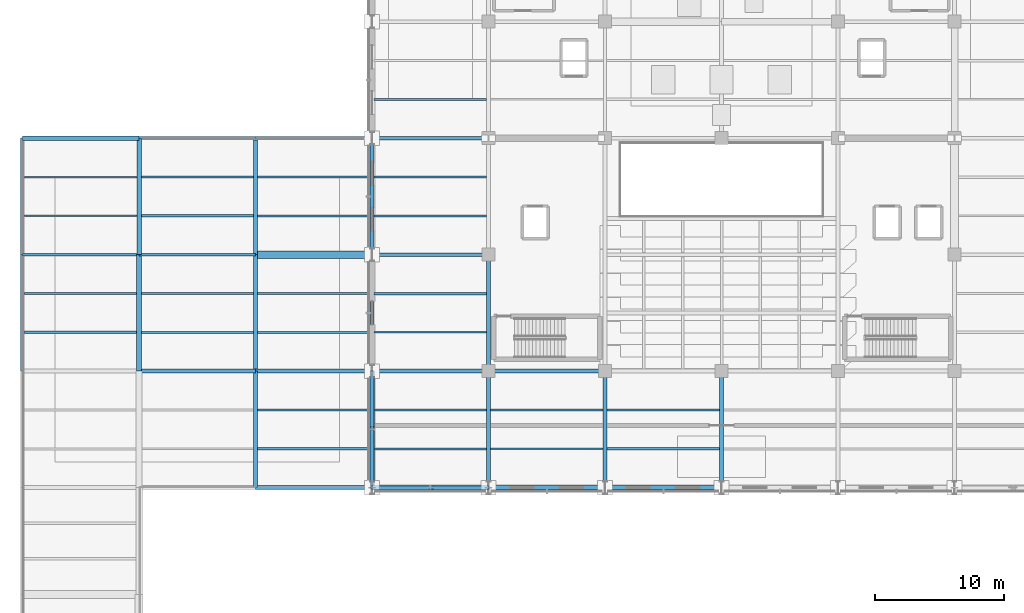
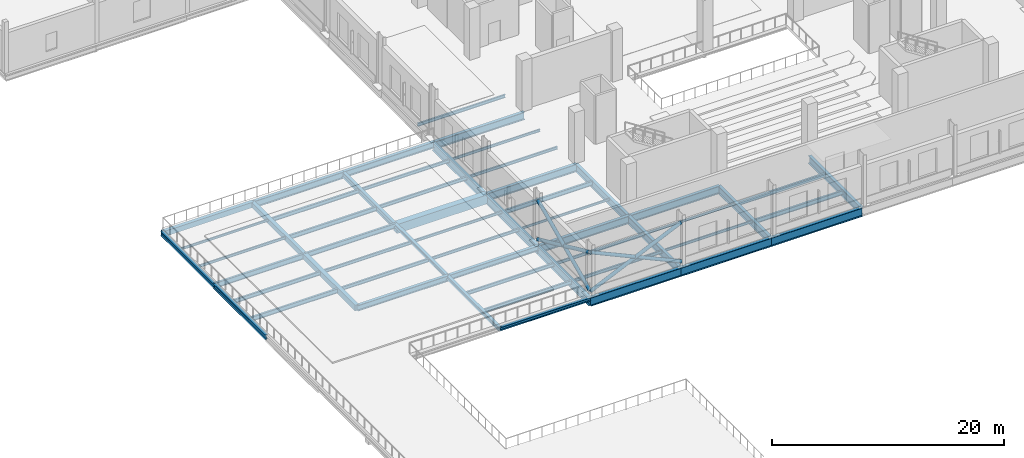
# One storey, part 12 of 141: 55 beams, 6 members.
"""IFC4 building model written with IfcOpenShell, lengths in metres."""

from ifc_helpers import new_model, si_unit, direction, frame, origin, origin_2d, place, context, subcontext, project, spatial, rectangle, hollow_circle, i_section, extrude, material, material_profile, profile_set, type_object, element, save


model = new_model("IFC4")

# Units and contexts
model_context = context("Model", 3, precision=1e-05, world=origin(), true_north=direction((0.0, 1.0)))
body_context = subcontext(model_context, "Body", "Model", "MODEL_VIEW")
ifc_project = project(units=[si_unit("LENGTHUNIT", "METRE"), si_unit("AREAUNIT", "SQUARE_METRE"), si_unit("VOLUMEUNIT", "CUBIC_METRE"), si_unit("PLANEANGLEUNIT", "RADIAN"), si_unit("MASSUNIT", "GRAM", prefix="KILO")], contexts=[model_context])

# Site, building, storey
site_placement = place(None, origin())
site = spatial("IfcSite", under=ifc_project, at=site_placement, CompositionType="ELEMENT")
building_placement = place(site_placement, origin())
building = spatial("IfcBuilding", under=site, at=building_placement, Name="Sundgate Opera House", CompositionType="ELEMENT")
storey_placement = place(building_placement, frame((0.0, 0.0, 11.39990234375)))
storey = spatial("IfcBuildingStorey", under=building, at=storey_placement, Name="L02", CompositionType="ELEMENT", Elevation=11.39990234375)

# Beams
ifc_material_1 = material(Name="Steel S355J2", Category="steel")
ifc_material_profile_1 = material_profile(ifc_material_1, i_section(OverallWidth=0.300048828125, OverallDepth=0.43994140625, WebThickness=0.011474609375, FlangeThickness=0.02099609375, at=origin_2d()), Name="HEA 450")
ifc_profile_set_1 = profile_set([ifc_material_profile_1], Name="Steel S355J2")
beam_type_1 = type_object("IfcBeamType", Name="BM-GR-HEA450", PredefinedType="BEAM", material=ifc_profile_set_1)
beam_1_placement = place(storey_placement, frame((0.0, 51.0, -0.5498046875), z_axis=(0.0, 1.0, 0.0), x_axis=(-1.0, 0.0, 0.0)))
element("IfcBeam", 1, at=beam_1_placement, inside=storey, type_object=beam_type_1, Name="L02 Primary N-S Girder B1786", PredefinedType="BEAM", context=body_context, shape_type="SweptSolid", body=[
    extrude(i_section(OverallWidth=0.300048828125, OverallDepth=0.43994140625, WebThickness=0.011474609375, FlangeThickness=0.02099609375, at=origin_2d()), origin(), (0.0, 0.0, 1.0), 9.0),
])
ifc_material_2 = material(Name="Steel S355J2", Category="steel")
ifc_material_profile_2 = material_profile(ifc_material_2, i_section(OverallWidth=0.300048828125, OverallDepth=0.489990234375, WebThickness=0.011962890625, FlangeThickness=0.02294921875, at=origin_2d()), Name="HEA 500")
ifc_profile_set_2 = profile_set([ifc_material_profile_2], Name="Steel S355J2")
beam_type_2 = type_object("IfcBeamType", Name="BM-GR-HEA500", PredefinedType="BEAM", material=ifc_profile_set_2)
beam_2_placement = place(storey_placement, frame((0.0, 42.0, -0.574951171875), z_axis=(0.0, 1.0, 0.0), x_axis=(-1.0, 0.0, 0.0)))
element("IfcBeam", 2, at=beam_2_placement, inside=storey, type_object=beam_type_2, Name="L02 Primary N-S Girder B1785", PredefinedType="BEAM", context=body_context, shape_type="SweptSolid", body=[
    extrude(i_section(OverallWidth=0.300048828125, OverallDepth=0.489990234375, WebThickness=0.011962890625, FlangeThickness=0.02294921875, at=origin_2d()), origin(), (0.0, 0.0, 1.0), 9.0),
])
ifc_material_3 = material(Name="Steel S355J2", Category="steel")
ifc_material_profile_3 = material_profile(ifc_material_3, i_section(OverallWidth=0.300048828125, OverallDepth=0.590087890625, WebThickness=0.012939453125, FlangeThickness=0.02490234375, at=origin_2d()), Name="HEA 600")
ifc_profile_set_3 = profile_set([ifc_material_profile_3], Name="Steel S355J2")
beam_type_3 = type_object("IfcBeamType", Name="BM-GR-HEA600", PredefinedType="BEAM", material=ifc_profile_set_3)
beam_3_placement = place(storey_placement, frame((18.0, 51.0, -0.625), z_axis=(0.0, 1.0, 0.0), x_axis=(-1.0, 0.0, 0.0)))
element("IfcBeam", 3, at=beam_3_placement, inside=storey, type_object=beam_type_3, Name="L02 Primary N-S Girder B1806", PredefinedType="BEAM", context=body_context, shape_type="SweptSolid", body=[
    extrude(i_section(OverallWidth=0.300048828125, OverallDepth=0.590087890625, WebThickness=0.012939453125, FlangeThickness=0.02490234375, at=origin_2d()), origin(), (0.0, 0.0, 1.0), 9.0),
])
ifc_material_4 = material(Name="Steel S355J2", Category="steel")
ifc_material_profile_4 = material_profile(ifc_material_4, i_section(OverallWidth=0.300048828125, OverallDepth=0.360107421875, WebThickness=0.012451171875, FlangeThickness=0.0224609375, at=origin_2d()), Name="HEB 360")
ifc_profile_set_4 = profile_set([ifc_material_profile_4], Name="Steel S355J2")
beam_type_4 = type_object("IfcBeamType", Name="BM-GR-HEB360", PredefinedType="BEAM", material=ifc_profile_set_4)
for number, where, z_axis, x_axis, name in (
    (4, (18.0, 42.0, -0.510009765625), (0.0, 1.0, 0.0), (-1.0, 0.0, 0.0), "L02 Primary N-S Girder B1805"),
    (5, (18.0, 33.0, -0.510009765625), (1.0, 0.0, 0.0), (0.0, 1.0, 0.0), "L02 Primary E-W Girder B1996"),
):
    element("IfcBeam", number, at=place(storey_placement, frame(where, z_axis=z_axis, x_axis=x_axis)), inside=storey, type_object=beam_type_4, Name=name, PredefinedType="BEAM", context=body_context, shape_type="SweptSolid", body=[
        extrude(i_section(OverallWidth=0.300048828125, OverallDepth=0.360107421875, WebThickness=0.012451171875, FlangeThickness=0.0224609375, at=origin_2d()), origin(), (0.0, 0.0, 1.0), 9.0),
    ])
ifc_material_5 = material(Name="Steel S355J2", Category="steel")
ifc_material_profile_5 = material_profile(ifc_material_5, i_section(OverallWidth=0.300048828125, OverallDepth=0.39990234375, WebThickness=0.013427734375, FlangeThickness=0.02392578125, at=origin_2d()), Name="HEB 400")
ifc_profile_set_5 = profile_set([ifc_material_profile_5], Name="Steel S355J2")
beam_type_5 = type_object("IfcBeamType", Name="BM-GR-HEB400", PredefinedType="BEAM", material=ifc_profile_set_5)
beam_4_placement = place(storey_placement, frame((18.0, 33.0, -0.52978515625), z_axis=(0.0, 1.0, 0.0), x_axis=(-1.0, 0.0, 0.0)))
element("IfcBeam", 6, at=beam_4_placement, inside=storey, type_object=beam_type_5, Name="L02 Primary N-S Girder B1804", PredefinedType="BEAM", context=body_context, shape_type="SweptSolid", body=[
    extrude(i_section(OverallWidth=0.300048828125, OverallDepth=0.39990234375, WebThickness=0.013427734375, FlangeThickness=0.02392578125, at=origin_2d()), origin(), (0.0, 0.0, 1.0), 9.0),
])
ifc_material_6 = material(Name="Steel S355J2", Category="steel")
ifc_material_profile_6 = material_profile(ifc_material_6, i_section(OverallWidth=0.300048828125, OverallDepth=0.550048828125, WebThickness=0.014892578125, FlangeThickness=0.029052734375, at=origin_2d()), Name="HEB 550")
ifc_profile_set_6 = profile_set([ifc_material_profile_6], Name="Steel S355J2")
beam_type_6 = type_object("IfcBeamType", Name="BM-GR-HEB550", PredefinedType="BEAM", material=ifc_profile_set_6)
beam_5_placement = place(storey_placement, frame((18.0, 42.0, -0.60498046875), z_axis=(1.0, 0.0, 0.0), x_axis=(0.0, 1.0, 0.0)))
element("IfcBeam", 7, at=beam_5_placement, inside=storey, type_object=beam_type_6, Name="L02 Primary E-W Girder B2008", PredefinedType="BEAM", context=body_context, shape_type="SweptSolid", body=[
    extrude(i_section(OverallWidth=0.300048828125, OverallDepth=0.550048828125, WebThickness=0.014892578125, FlangeThickness=0.029052734375, at=origin_2d()), origin(), (0.0, 0.0, 1.0), 9.0),
])
ifc_material_7 = material(Name="Steel S355J2", Category="steel")
ifc_material_profile_7 = material_profile(ifc_material_7, i_section(OverallWidth=0.300048828125, OverallDepth=0.60009765625, WebThickness=0.015380859375, FlangeThickness=0.030029296875, at=origin_2d()), Name="HEB 600")
ifc_profile_set_7 = profile_set([ifc_material_profile_7], Name="Steel S355J2")
beam_type_7 = type_object("IfcBeamType", Name="BM-GR-HEB600", PredefinedType="BEAM", material=ifc_profile_set_7)
beam_6_placement = place(storey_placement, frame((9.0, 42.0, -0.6298828125), z_axis=(1.0, 0.0, 0.0), x_axis=(0.0, 1.0, 0.0)))
element("IfcBeam", 8, at=beam_6_placement, inside=storey, type_object=beam_type_7, Name="L02 Primary E-W Girder B2007", PredefinedType="BEAM", context=body_context, shape_type="SweptSolid", body=[
    extrude(i_section(OverallWidth=0.300048828125, OverallDepth=0.60009765625, WebThickness=0.015380859375, FlangeThickness=0.030029296875, at=origin_2d()), origin(), (0.0, 0.0, 1.0), 9.0),
])
ifc_material_8 = material(Name="Steel S355J2", Category="steel")
ifc_material_profile_8 = material_profile(ifc_material_8, i_section(OverallWidth=0.300048828125, OverallDepth=0.64990234375, WebThickness=0.01611328125, FlangeThickness=0.031005859375, at=origin_2d()), Name="HEB 650")
ifc_profile_set_8 = profile_set([ifc_material_profile_8], Name="Steel S355J2")
beam_type_8 = type_object("IfcBeamType", Name="BM-GR-HEB650", PredefinedType="BEAM", material=ifc_profile_set_8)
beam_7_placement = place(storey_placement, frame((18.0, 60.0, -0.65478515625), z_axis=(1.0, 0.0, 0.0), x_axis=(0.0, 1.0, 0.0)))
element("IfcBeam", 9, at=beam_7_placement, inside=storey, type_object=beam_type_8, Name="L02 Primary E-W Girder B2022", PredefinedType="BEAM", context=body_context, shape_type="SweptSolid", body=[
    extrude(i_section(OverallWidth=0.300048828125, OverallDepth=0.64990234375, WebThickness=0.01611328125, FlangeThickness=0.031005859375, at=origin_2d()), origin(), (0.0, 0.0, 1.0), 9.0),
])
ifc_material_9 = material(Name="Steel S355J2", Category="steel")
ifc_material_profile_9 = material_profile(ifc_material_9, i_section(OverallWidth=0.300048828125, OverallDepth=0.699951171875, WebThickness=0.01708984375, FlangeThickness=0.031982421875, at=origin_2d()), Name="HEB 700")
ifc_profile_set_9 = profile_set([ifc_material_profile_9], Name="Steel S355J2")
beam_type_9 = type_object("IfcBeamType", Name="BM-GR-HEB700", PredefinedType="BEAM", material=ifc_profile_set_9)
beam_8_placement = place(storey_placement, frame((9.0, 60.0, -0.679931640625), z_axis=(1.0, 0.0, 0.0), x_axis=(0.0, 1.0, 0.0)))
element("IfcBeam", 10, at=beam_8_placement, inside=storey, type_object=beam_type_9, Name="L02 Primary E-W Girder B2021", PredefinedType="BEAM", context=body_context, shape_type="SweptSolid", body=[
    extrude(i_section(OverallWidth=0.300048828125, OverallDepth=0.699951171875, WebThickness=0.01708984375, FlangeThickness=0.031982421875, at=origin_2d()), origin(), (0.0, 0.0, 1.0), 9.0),
])
ifc_material_10 = material(Name="Steel S355J2", Category="steel")
ifc_material_profile_10 = material_profile(ifc_material_10, i_section(OverallWidth=0.199951171875, OverallDepth=0.5, WebThickness=0.01025390625, FlangeThickness=0.01611328125, at=origin_2d()), Name="IPE 500")
ifc_profile_set_10 = profile_set([ifc_material_profile_10], Name="Steel S355J2")
beam_type_10 = type_object("IfcBeamType", Name="BM-GR-IPE500", PredefinedType="BEAM", material=ifc_profile_set_10)
beam_9_placement = place(storey_placement, frame((9.0, 51.0, -0.579833984375), z_axis=(1.0, 0.0, 0.0), x_axis=(0.0, 1.0, 0.0)))
element("IfcBeam", 11, at=beam_9_placement, inside=storey, type_object=beam_type_10, Name="L02 Primary E-W Girder B2017", PredefinedType="BEAM", context=body_context, shape_type="SweptSolid", body=[
    extrude(i_section(OverallWidth=0.199951171875, OverallDepth=0.5, WebThickness=0.01025390625, FlangeThickness=0.01611328125, at=origin_2d()), origin(), (0.0, 0.0, 1.0), 9.0),
])
ifc_material_11 = material(Name="Steel S355J2", Category="steel")
ifc_material_profile_11 = material_profile(ifc_material_11, i_section(OverallWidth=0.2099609375, OverallDepth=0.550048828125, WebThickness=0.010986328125, FlangeThickness=0.01708984375, at=origin_2d()), Name="IPE 550")
ifc_profile_set_11 = profile_set([ifc_material_profile_11], Name="Steel S355J2")
beam_type_11 = type_object("IfcBeamType", Name="BM-GR-IPE550", PredefinedType="BEAM", material=ifc_profile_set_11)
beam_10_placement = place(storey_placement, frame((0.0, 51.0, -0.60498046875), z_axis=(1.0, 0.0, 0.0), x_axis=(0.0, 1.0, 0.0)))
element("IfcBeam", 12, at=beam_10_placement, inside=storey, type_object=beam_type_11, Name="L02 Primary E-W Girder B2016", PredefinedType="BEAM", context=body_context, shape_type="SweptSolid", body=[
    extrude(i_section(OverallWidth=0.2099609375, OverallDepth=0.550048828125, WebThickness=0.010986328125, FlangeThickness=0.01708984375, at=origin_2d()), origin(), (0.0, 0.0, 1.0), 9.0),
])
ifc_material_12 = material(Name="Steel S355J2", Category="steel")
ifc_material_profile_12 = material_profile(ifc_material_12, i_section(OverallWidth=0.1201171875, OverallDepth=0.239990234375, WebThickness=0.006103515625, FlangeThickness=0.009765625, at=origin_2d()), Name="IPE 240")
ifc_profile_set_12 = profile_set([ifc_material_profile_12], Name="Steel S355J2")
beam_type_12 = type_object("IfcBeamType", Name="BM-JS-IPE240", PredefinedType="JOIST", material=ifc_profile_set_12)
for number, where, z_axis, x_axis, name in (
    (13, (36.14990234375, 39.0, -0.43994140625), (1.0, 0.0, 0.0), (0.0, 1.0, 0.0), "L02 Secondary Floor Joist B2205"),
    (14, (27.14990234375, 45.0, -0.43994140625), (1.0, 0.0, 0.0), (0.0, 1.0, 0.0), "L02 Secondary Floor Joist B2233"),
):
    element("IfcBeam", number, at=place(storey_placement, frame(where, z_axis=z_axis, x_axis=x_axis)), inside=storey, type_object=beam_type_12, Name=name, PredefinedType="JOIST", context=body_context, shape_type="SweptSolid", body=[
        extrude(i_section(OverallWidth=0.1201171875, OverallDepth=0.239990234375, WebThickness=0.006103515625, FlangeThickness=0.009765625, at=origin_2d()), origin(), (0.0, 0.0, 1.0), 8.7001953125),
    ])
beam_11_placement = place(storey_placement, frame((0.14990234375, 57.0, -0.449951171875), z_axis=(1.0, 0.0, 0.0), x_axis=(0.0, 1.0, 0.0)))
element("IfcBeam", 15, at=beam_11_placement, inside=storey, type_object=beam_type_12, Name="L02 Secondary Floor Joist B2240", PredefinedType="JOIST", context=body_context, shape_type="SweptSolid", body=[
    extrude(i_section(OverallWidth=0.1201171875, OverallDepth=0.239990234375, WebThickness=0.006103515625, FlangeThickness=0.009765625, at=origin_2d()), origin(), (0.0, 0.0, 1.0), 8.675048828125),
])
ifc_material_13 = material(Name="Steel S355J2", Category="steel")
ifc_material_profile_13 = material_profile(ifc_material_13, i_section(OverallWidth=0.135009765625, OverallDepth=0.27001953125, WebThickness=0.006591796875, FlangeThickness=0.01025390625, at=origin_2d()), Name="IPE 270")
ifc_profile_set_13 = profile_set([ifc_material_profile_13], Name="Steel S355J2")
beam_type_13 = type_object("IfcBeamType", Name="BM-JS-IPE270", PredefinedType="JOIST", material=ifc_profile_set_13)
for number, where, z_axis, x_axis, name in (
    (16, (36.14990234375, 36.0, -0.454833984375), (1.0, 0.0, 0.0), (0.0, 1.0, 0.0), "L02 Secondary Floor Joist B2204"),
    (17, (18.14990234375, 48.0, -0.46484375), (1.0, 0.0, 0.0), (0.0, 1.0, 0.0), "L02 Secondary Floor Joist B2232"),
):
    element("IfcBeam", number, at=place(storey_placement, frame(where, z_axis=z_axis, x_axis=x_axis)), inside=storey, type_object=beam_type_13, Name=name, PredefinedType="JOIST", context=body_context, shape_type="SweptSolid", body=[
        extrude(i_section(OverallWidth=0.135009765625, OverallDepth=0.27001953125, WebThickness=0.006591796875, FlangeThickness=0.01025390625, at=origin_2d()), origin(), (0.0, 0.0, 1.0), 8.7001953125),
    ])
beam_12_placement = place(storey_placement, frame((0.14990234375, 54.0, -0.46484375), z_axis=(1.0, 0.0, 0.0), x_axis=(0.0, 1.0, 0.0)))
element("IfcBeam", 18, at=beam_12_placement, inside=storey, type_object=beam_type_13, Name="L02 Secondary Floor Joist B2239", PredefinedType="JOIST", context=body_context, shape_type="SweptSolid", body=[
    extrude(i_section(OverallWidth=0.135009765625, OverallDepth=0.27001953125, WebThickness=0.006591796875, FlangeThickness=0.01025390625, at=origin_2d()), origin(), (0.0, 0.0, 1.0), 8.675048828125),
])
beam_13_placement = place(storey_placement, frame((27.14990234375, 57.0, -0.454833984375), z_axis=(1.0, 0.0, 0.0), x_axis=(0.0, 1.0, 0.0)))
element("IfcBeam", 19, at=beam_13_placement, inside=storey, type_object=beam_type_13, Name="L02 Secondary Floor Joist B2246", PredefinedType="JOIST", context=body_context, shape_type="SweptSolid", body=[
    extrude(i_section(OverallWidth=0.135009765625, OverallDepth=0.27001953125, WebThickness=0.006591796875, FlangeThickness=0.01025390625, at=origin_2d()), origin(), (0.0, 0.0, 1.0), 8.7001953125),
])
ifc_material_14 = material(Name="Steel S355J2", Category="steel")
ifc_material_profile_14 = material_profile(ifc_material_14, i_section(OverallWidth=0.14990234375, OverallDepth=0.300048828125, WebThickness=0.007080078125, FlangeThickness=0.0107421875, at=origin_2d()), Name="IPE 300")
ifc_profile_set_14 = profile_set([ifc_material_profile_14], Name="Steel S355J2")
beam_type_14 = type_object("IfcBeamType", Name="BM-JS-IPE300", PredefinedType="JOIST", material=ifc_profile_set_14)
for number, where, z_axis, x_axis, name in (
    (20, (27.14990234375, 39.0, -0.469970703125), (1.0, 0.0, 0.0), (0.0, 1.0, 0.0), "L02 Secondary Floor Joist B2203"),
    (21, (18.14990234375, 45.0, -0.47998046875), (1.0, 0.0, 0.0), (0.0, 1.0, 0.0), "L02 Secondary Floor Joist B2231"),
    (22, (27.14990234375, 54.0, -0.469970703125), (1.0, 0.0, 0.0), (0.0, 1.0, 0.0), "L02 Secondary Floor Joist B2245"),
):
    element("IfcBeam", number, at=place(storey_placement, frame(where, z_axis=z_axis, x_axis=x_axis)), inside=storey, type_object=beam_type_14, Name=name, PredefinedType="JOIST", context=body_context, shape_type="SweptSolid", body=[
        extrude(i_section(OverallWidth=0.14990234375, OverallDepth=0.300048828125, WebThickness=0.007080078125, FlangeThickness=0.0107421875, at=origin_2d()), origin(), (0.0, 0.0, 1.0), 8.7001953125),
    ])
ifc_material_15 = material(Name="Steel S355J2", Category="steel")
ifc_material_profile_15 = material_profile(ifc_material_15, i_section(OverallWidth=0.159912109375, OverallDepth=0.330078125, WebThickness=0.007568359375, FlangeThickness=0.011474609375, at=origin_2d()), Name="IPE 330")
ifc_profile_set_15 = profile_set([ifc_material_profile_15], Name="Steel S355J2")
beam_type_15 = type_object("IfcBeamType", Name="BM-JS-IPE330", PredefinedType="JOIST", material=ifc_profile_set_15)
beam_14_placement = place(storey_placement, frame((27.14990234375, 36.0, -0.48486328125), z_axis=(1.0, 0.0, 0.0), x_axis=(0.0, 1.0, 0.0)))
element("IfcBeam", 23, at=beam_14_placement, inside=storey, type_object=beam_type_15, Name="L02 Secondary Floor Joist B2202", PredefinedType="JOIST", context=body_context, shape_type="SweptSolid", body=[
    extrude(i_section(OverallWidth=0.159912109375, OverallDepth=0.330078125, WebThickness=0.007568359375, FlangeThickness=0.011474609375, at=origin_2d()), origin(), (0.0, 0.0, 1.0), 8.7001953125),
])
beam_15_placement = place(storey_placement, frame((9.199951171875, 48.0, -0.494873046875), z_axis=(1.0, 0.0, 0.0), x_axis=(0.0, 1.0, 0.0)))
element("IfcBeam", 24, at=beam_15_placement, inside=storey, type_object=beam_type_15, Name="L02 Secondary Floor Joist B2230", PredefinedType="JOIST", context=body_context, shape_type="SweptSolid", body=[
    extrude(i_section(OverallWidth=0.159912109375, OverallDepth=0.330078125, WebThickness=0.007568359375, FlangeThickness=0.011474609375, at=origin_2d()), origin(), (0.0, 0.0, 1.0), 8.650146484375),
])
for number, where, z_axis, x_axis, name in (
    (25, (18.14990234375, 57.0, -0.494873046875), (1.0, 0.0, 0.0), (0.0, 1.0, 0.0), "L02 Secondary Floor Joist B2244"),
    (26, (27.14990234375, 63.0, -0.48486328125), (1.0, 0.0, 0.0), (0.0, 1.0, 0.0), "L02 Secondary Floor Joist B2251"),
):
    element("IfcBeam", number, at=place(storey_placement, frame(where, z_axis=z_axis, x_axis=x_axis)), inside=storey, type_object=beam_type_15, Name=name, PredefinedType="JOIST", context=body_context, shape_type="SweptSolid", body=[
        extrude(i_section(OverallWidth=0.159912109375, OverallDepth=0.330078125, WebThickness=0.007568359375, FlangeThickness=0.011474609375, at=origin_2d()), origin(), (0.0, 0.0, 1.0), 8.7001953125),
    ])
ifc_material_16 = material(Name="Steel S355J2", Category="steel")
ifc_material_profile_16 = material_profile(ifc_material_16, i_section(OverallWidth=0.169921875, OverallDepth=0.360107421875, WebThickness=0.008056640625, FlangeThickness=0.0126953125, at=origin_2d()), Name="IPE 360")
ifc_profile_set_16 = profile_set([ifc_material_profile_16], Name="Steel S355J2")
beam_type_16 = type_object("IfcBeamType", Name="BM-JS-IPE360", PredefinedType="JOIST", material=ifc_profile_set_16)
beam_16_placement = place(storey_placement, frame((18.14990234375, 39.0, -0.510009765625), z_axis=(1.0, 0.0, 0.0), x_axis=(0.0, 1.0, 0.0)))
element("IfcBeam", 27, at=beam_16_placement, inside=storey, type_object=beam_type_16, Name="L02 Secondary Floor Joist B2201", PredefinedType="JOIST", context=body_context, shape_type="SweptSolid", body=[
    extrude(i_section(OverallWidth=0.169921875, OverallDepth=0.360107421875, WebThickness=0.008056640625, FlangeThickness=0.0126953125, at=origin_2d()), origin(), (0.0, 0.0, 1.0), 8.7001953125),
])
beam_17_placement = place(storey_placement, frame((9.199951171875, 45.0, -0.510009765625), z_axis=(1.0, 0.0, 0.0), x_axis=(0.0, 1.0, 0.0)))
element("IfcBeam", 28, at=beam_17_placement, inside=storey, type_object=beam_type_16, Name="L02 Secondary Floor Joist B2229", PredefinedType="JOIST", context=body_context, shape_type="SweptSolid", body=[
    extrude(i_section(OverallWidth=0.169921875, OverallDepth=0.360107421875, WebThickness=0.008056640625, FlangeThickness=0.0126953125, at=origin_2d()), origin(), (0.0, 0.0, 1.0), 8.650146484375),
])
beam_18_placement = place(storey_placement, frame((18.14990234375, 54.0, -0.510009765625), z_axis=(1.0, 0.0, 0.0), x_axis=(0.0, 1.0, 0.0)))
element("IfcBeam", 29, at=beam_18_placement, inside=storey, type_object=beam_type_16, Name="L02 Secondary Floor Joist B2243", PredefinedType="JOIST", context=body_context, shape_type="SweptSolid", body=[
    extrude(i_section(OverallWidth=0.169921875, OverallDepth=0.360107421875, WebThickness=0.008056640625, FlangeThickness=0.0126953125, at=origin_2d()), origin(), (0.0, 0.0, 1.0), 8.7001953125),
])
ifc_material_17 = material(Name="Steel S355J2", Category="steel")
ifc_material_profile_17 = material_profile(ifc_material_17, i_section(OverallWidth=0.179931640625, OverallDepth=0.39990234375, WebThickness=0.008544921875, FlangeThickness=0.013427734375, at=origin_2d()), Name="IPE 400")
ifc_profile_set_17 = profile_set([ifc_material_profile_17], Name="Steel S355J2")
beam_type_17 = type_object("IfcBeamType", Name="BM-JS-IPE400", PredefinedType="JOIST", material=ifc_profile_set_17)
for number, where, z_axis, x_axis, name in (
    (30, (18.14990234375, 36.0, -0.52978515625), (1.0, 0.0, 0.0), (0.0, 1.0, 0.0), "L02 Secondary Floor Joist B2200"),
    (31, (45.14990234375, 39.0, -0.52001953125), (1.0, 0.0, 0.0), (0.0, 1.0, 0.0), "L02 Secondary Floor Joist B2207"),
):
    element("IfcBeam", number, at=place(storey_placement, frame(where, z_axis=z_axis, x_axis=x_axis)), inside=storey, type_object=beam_type_17, Name=name, PredefinedType="JOIST", context=body_context, shape_type="SweptSolid", body=[
        extrude(i_section(OverallWidth=0.179931640625, OverallDepth=0.39990234375, WebThickness=0.008544921875, FlangeThickness=0.013427734375, at=origin_2d()), origin(), (0.0, 0.0, 1.0), 8.7001953125),
    ])
beam_19_placement = place(storey_placement, frame((0.14990234375, 48.0, -0.52978515625), z_axis=(1.0, 0.0, 0.0), x_axis=(0.0, 1.0, 0.0)))
element("IfcBeam", 32, at=beam_19_placement, inside=storey, type_object=beam_type_17, Name="L02 Secondary Floor Joist B2228", PredefinedType="JOIST", context=body_context, shape_type="SweptSolid", body=[
    extrude(i_section(OverallWidth=0.179931640625, OverallDepth=0.39990234375, WebThickness=0.008544921875, FlangeThickness=0.013427734375, at=origin_2d()), origin(), (0.0, 0.0, 1.0), 8.650146484375),
])
beam_20_placement = place(storey_placement, frame((9.175048828125, 57.0, -0.52978515625), z_axis=(1.0, 0.0, 0.0), x_axis=(0.0, 1.0, 0.0)))
element("IfcBeam", 33, at=beam_20_placement, inside=storey, type_object=beam_type_17, Name="L02 Secondary Floor Joist B2242", PredefinedType="JOIST", context=body_context, shape_type="SweptSolid", body=[
    extrude(i_section(OverallWidth=0.179931640625, OverallDepth=0.39990234375, WebThickness=0.008544921875, FlangeThickness=0.013427734375, at=origin_2d()), origin(), (0.0, 0.0, 1.0), 8.675048828125),
])
ifc_material_18 = material(Name="Steel S355J2", Category="steel")
ifc_material_profile_18 = material_profile(ifc_material_18, i_section(OverallWidth=0.18994140625, OverallDepth=0.449951171875, WebThickness=0.009521484375, FlangeThickness=0.0146484375, at=origin_2d()), Name="IPE 450")
ifc_profile_set_18 = profile_set([ifc_material_profile_18], Name="Steel S355J2")
beam_type_18 = type_object("IfcBeamType", Name="BM-JS-IPE450", PredefinedType="JOIST", material=ifc_profile_set_18)
beam_21_placement = place(storey_placement, frame((45.14990234375, 36.0, -0.544921875), z_axis=(1.0, 0.0, 0.0), x_axis=(0.0, 1.0, 0.0)))
element("IfcBeam", 34, at=beam_21_placement, inside=storey, type_object=beam_type_18, Name="L02 Secondary Floor Joist B2206", PredefinedType="JOIST", context=body_context, shape_type="SweptSolid", body=[
    extrude(i_section(OverallWidth=0.18994140625, OverallDepth=0.449951171875, WebThickness=0.009521484375, FlangeThickness=0.0146484375, at=origin_2d()), origin(), (0.0, 0.0, 1.0), 8.7001953125),
])
beam_22_placement = place(storey_placement, frame((0.14990234375, 45.0, -0.554931640625), z_axis=(1.0, 0.0, 0.0), x_axis=(0.0, 1.0, 0.0)))
element("IfcBeam", 35, at=beam_22_placement, inside=storey, type_object=beam_type_18, Name="L02 Secondary Floor Joist B2227", PredefinedType="JOIST", context=body_context, shape_type="SweptSolid", body=[
    extrude(i_section(OverallWidth=0.18994140625, OverallDepth=0.449951171875, WebThickness=0.009521484375, FlangeThickness=0.0146484375, at=origin_2d()), origin(), (0.0, 0.0, 1.0), 8.650146484375),
])
beam_23_placement = place(storey_placement, frame((27.14990234375, 48.0, -0.544921875), z_axis=(1.0, 0.0, 0.0), x_axis=(0.0, 1.0, 0.0)))
element("IfcBeam", 36, at=beam_23_placement, inside=storey, type_object=beam_type_18, Name="L02 Secondary Floor Joist B2234", PredefinedType="JOIST", context=body_context, shape_type="SweptSolid", body=[
    extrude(i_section(OverallWidth=0.18994140625, OverallDepth=0.449951171875, WebThickness=0.009521484375, FlangeThickness=0.0146484375, at=origin_2d()), origin(), (0.0, 0.0, 1.0), 8.7001953125),
])
beam_24_placement = place(storey_placement, frame((9.175048828125, 54.0, -0.554931640625), z_axis=(1.0, 0.0, 0.0), x_axis=(0.0, 1.0, 0.0)))
element("IfcBeam", 37, at=beam_24_placement, inside=storey, type_object=beam_type_18, Name="L02 Secondary Floor Joist B2241", PredefinedType="JOIST", context=body_context, shape_type="SweptSolid", body=[
    extrude(i_section(OverallWidth=0.18994140625, OverallDepth=0.449951171875, WebThickness=0.009521484375, FlangeThickness=0.0146484375, at=origin_2d()), origin(), (0.0, 0.0, 1.0), 8.675048828125),
])
ifc_material_19 = material(Name="Steel S355J2", Category="steel")
ifc_material_profile_19 = material_profile(ifc_material_19, i_section(OverallWidth=0.300048828125, OverallDepth=0.800048828125, WebThickness=0.017578125, FlangeThickness=0.032958984375, at=origin_2d()), Name="HEB 800")
ifc_profile_set_19 = profile_set([ifc_material_profile_19], Name="Steel S355J2")
beam_type_19 = type_object("IfcBeamType", Name="BM-OUT-HEB800", PredefinedType="BEAM", material=ifc_profile_set_19)
for number, where, z_axis, x_axis, name in (
    (38, (36.0, 51.0, -0.75), (0.0, -1.0, 0.0), (1.0, 0.0, 0.0), "L02 Cube Outrigger Back-Span Girder B0025"),
    (39, (36.0, 42.0, -0.75), (0.0, -1.0, 0.0), (1.0, 0.0, 0.0), "L02 Cube Outrigger Girder B0026"),
    (40, (45.0, 42.0, -0.75), (0.0, -1.0, 0.0), (1.0, 0.0, 0.0), "L02 Cube Outrigger Girder B0029"),
    (41, (54.0, 42.0, -0.75), (0.0, -1.0, 0.0), (1.0, 0.0, 0.0), "L02 Cube Outrigger Girder B0032"),
    (42, (45.0, 42.0, -0.75), (-1.0, 0.0, 0.0), (0.0, -1.0, 0.0), "L02 Cube Outrigger Back-Span Girder B0042"),
    (43, (36.0, 42.0, -0.75), (-1.0, 0.0, 0.0), (0.0, -1.0, 0.0), "L02 Cube Outrigger Girder B0044"),
    (44, (36.0, 51.0, -0.75), (-1.0, 0.0, 0.0), (0.0, -1.0, 0.0), "L02 Cube Outrigger Girder B0046"),
    (45, (36.0, 60.0, -0.75), (-1.0, 0.0, 0.0), (0.0, -1.0, 0.0), "L02 Cube Outrigger Girder B0050"),
):
    element("IfcBeam", number, at=place(storey_placement, frame(where, z_axis=z_axis, x_axis=x_axis)), inside=storey, type_object=beam_type_19, Name=name, PredefinedType="BEAM", context=body_context, shape_type="SweptSolid", body=[
        extrude(i_section(OverallWidth=0.300048828125, OverallDepth=0.800048828125, WebThickness=0.017578125, FlangeThickness=0.032958984375, at=origin_2d()), origin(), (0.0, 0.0, 1.0), 9.0),
    ])
ifc_material_20 = material(Name="Concrete C35/45", Category="concrete")
ifc_material_profile_20 = material_profile(ifc_material_20, rectangle(XDim=0.35009765625, YDim=0.550048828125, at=origin_2d()), Name="RC 350x550")
ifc_profile_set_20 = profile_set([ifc_material_profile_20], Name="Concrete C35/45")
beam_type_20 = type_object("IfcBeamType", Name="BM-RC-350x550", PredefinedType="BEAM", material=ifc_profile_set_20)
for number, where, z_axis, x_axis, name in (
    (46, (9.0, 51.0, -0.60498046875), (0.0, 1.0, 0.0), (-1.0, 0.0, 0.0), "L02 Primary N-S Girder B1797"),
    (47, (0.0, 60.0, -0.60498046875), (1.0, 0.0, 0.0), (0.0, 1.0, 0.0), "L02 Primary E-W Girder B2020"),
):
    element("IfcBeam", number, at=place(storey_placement, frame(where, z_axis=z_axis, x_axis=x_axis)), inside=storey, type_object=beam_type_20, Name=name, PredefinedType="BEAM", context=body_context, shape_type="SweptSolid", body=[
        extrude(rectangle(XDim=0.35009765625, YDim=0.550048828125, at=origin_2d()), origin(), (0.0, 0.0, 1.0), 9.0),
    ])
ifc_material_21 = material(Name="Concrete C35/45", Category="concrete")
ifc_material_profile_21 = material_profile(ifc_material_21, rectangle(XDim=0.39990234375, YDim=0.60009765625, at=origin_2d()), Name="RC 400x600")
ifc_profile_set_21 = profile_set([ifc_material_profile_21], Name="Concrete C35/45")
beam_type_21 = type_object("IfcBeamType", Name="BM-RC-400x600", PredefinedType="BEAM", material=ifc_profile_set_21)
beam_25_placement = place(storey_placement, frame((9.0, 42.0, -0.6298828125), z_axis=(0.0, 1.0, 0.0), x_axis=(-1.0, 0.0, 0.0)))
element("IfcBeam", 48, at=beam_25_placement, inside=storey, type_object=beam_type_21, Name="L02 Primary N-S Girder B1796", PredefinedType="BEAM", context=body_context, shape_type="SweptSolid", body=[
    extrude(rectangle(XDim=0.39990234375, YDim=0.60009765625, at=origin_2d()), origin(), (0.0, 0.0, 1.0), 9.0),
])
ifc_material_22 = material(Name="Concrete C40/50", Category="concrete")
ifc_material_profile_22 = material_profile(ifc_material_22, rectangle(XDim=0.60009765625, YDim=0.949951171875, at=origin_2d()), Name="RC 600x950")
ifc_profile_set_22 = profile_set([ifc_material_profile_22], Name="Concrete C40/50")
beam_type_22 = type_object("IfcBeamType", Name="BM-RC-600x950", PredefinedType="BEAM", material=ifc_profile_set_22)
beam_26_placement = place(storey_placement, frame((18.0, 51.0, -0.804931640625), z_axis=(1.0, 0.0, 0.0), x_axis=(0.0, 1.0, 0.0)))
element("IfcBeam", 49, at=beam_26_placement, inside=storey, type_object=beam_type_22, Name="L02 Primary E-W Girder B2018", PredefinedType="BEAM", context=body_context, shape_type="SweptSolid", body=[
    extrude(rectangle(XDim=0.60009765625, YDim=0.949951171875, at=origin_2d()), origin(), (0.0, 0.0, 1.0), 9.0),
])
ifc_material_23 = material(Name="Steel S355ML", Category="steel")
ifc_material_profile_23 = material_profile(ifc_material_23, i_section(OverallWidth=0.300048828125, OverallDepth=0.89990234375, WebThickness=0.0185546875, FlangeThickness=0.034912109375, at=origin_2d()), Name="HEB 900")
ifc_profile_set_23 = profile_set([ifc_material_profile_23], Name="Steel S355ML")
beam_type_23 = type_object("IfcBeamType", Name="BM-TR-HEB900", PredefinedType="BEAM", material=ifc_profile_set_23)
for number, where, z_axis, x_axis, name in (
    (50, (27.0, 33.0, -0.7998046875), (1.0, 0.0, 0.0), (0.0, 1.0, 0.0), "L02 Cube Perimeter Transfer Girder B0001"),
    (51, (36.0, 33.0, -0.7998046875), (1.0, 0.0, 0.0), (0.0, 1.0, 0.0), "L02 Cube Perimeter Transfer Girder B0002"),
    (52, (45.0, 33.0, -0.7998046875), (1.0, 0.0, 0.0), (0.0, 1.0, 0.0), "L02 Cube Perimeter Transfer Girder B0003"),
    (53, (27.0, 33.0, -0.7998046875), (0.0, 1.0, 0.0), (-1.0, 0.0, 0.0), "L02 Cube Perimeter Transfer Girder B0013"),
    (54, (27.0, 42.0, -0.7998046875), (0.0, 1.0, 0.0), (-1.0, 0.0, 0.0), "L02 Cube Perimeter Transfer Girder B0014"),
    (55, (27.0, 51.0, -0.7998046875), (0.0, 1.0, 0.0), (-1.0, 0.0, 0.0), "L02 Cube Perimeter Transfer Girder B0015"),
):
    element("IfcBeam", number, at=place(storey_placement, frame(where, z_axis=z_axis, x_axis=x_axis)), inside=storey, type_object=beam_type_23, Name=name, PredefinedType="BEAM", context=body_context, shape_type="SweptSolid", body=[
        extrude(i_section(OverallWidth=0.300048828125, OverallDepth=0.89990234375, WebThickness=0.0185546875, FlangeThickness=0.034912109375, at=origin_2d()), origin(), (0.0, 0.0, 1.0), 9.0),
    ])

# Members
ifc_material_24 = material(Name="Steel S355J2", Category="steel")
ifc_material_profile_24 = material_profile(ifc_material_24, hollow_circle(Radius=0.177734375, WallThickness=0.01611328125, at=origin_2d()), Name="CHS 355.6x16.0")
ifc_profile_set_24 = profile_set([ifc_material_profile_24], Name="Steel S355J2")
member_type = type_object("IfcMemberType", Name="MB-BRC-CHS356", PredefinedType="BRACE", material=ifc_profile_set_24)
member_1_placement = place(storey_placement, frame((27.0, 33.0, 0.25), z_axis=(0.910016154981, 0.0, 0.414572789354), x_axis=(0.0, 1.0, 0.0)))
element("IfcMember", 56, at=member_1_placement, inside=storey, type_object=member_type, Name="L02 Belt-Truss Continuous Diagonal M0001", PredefinedType="BRACE", context=body_context, shape_type="SweptSolid", body=[
    extrude(hollow_circle(Radius=0.177734375, WallThickness=0.01611328125, at=origin_2d()), origin(), (0.0, 0.0, 1.0), 9.889892578125),
])
member_2_placement = place(storey_placement, frame((36.0, 33.0, 0.25), z_axis=(-0.910006192119, 0.0, 0.414594657836), x_axis=(0.0, -1.0, 0.0)))
element("IfcMember", 57, at=member_2_placement, inside=storey, type_object=member_type, Name="L02 Belt-Truss Lower Half Diagonal M0002", PredefinedType="BRACE", context=body_context, shape_type="SweptSolid", body=[
    extrude(hollow_circle(Radius=0.177734375, WallThickness=0.01611328125, at=origin_2d()), origin(), (0.0, 0.0, 1.0), 4.78515625),
])
member_3_placement = place(storey_placement, frame((31.3544921875, 33.0, 2.366455078125), z_axis=(-0.910025440845, 0.0, 0.414552405633), x_axis=(0.0, -1.0, 0.0)))
element("IfcMember", 58, at=member_3_placement, inside=storey, type_object=member_type, Name="L02 Belt-Truss Upper Half Diagonal MS001", PredefinedType="BRACE", context=body_context, shape_type="SweptSolid", body=[
    extrude(hollow_circle(Radius=0.177734375, WallThickness=0.01611328125, at=origin_2d()), origin(), (0.0, 0.0, 1.0), 4.784912109375),
])
member_4_placement = place(storey_placement, frame((27.0, 33.0, 0.25), z_axis=(0.0, 0.910016154981, 0.414572789354), x_axis=(-1.0, 0.0, 0.0)))
element("IfcMember", 59, at=member_4_placement, inside=storey, type_object=member_type, Name="L02 Belt-Truss Continuous Diagonal M0009", PredefinedType="BRACE", context=body_context, shape_type="SweptSolid", body=[
    extrude(hollow_circle(Radius=0.177734375, WallThickness=0.01611328125, at=origin_2d()), origin(), (0.0, 0.0, 1.0), 9.889892578125),
])
member_5_placement = place(storey_placement, frame((27.0, 42.0, 0.25), z_axis=(0.0, -0.910006192119, 0.414594657836), x_axis=(1.0, 0.0, 0.0)))
element("IfcMember", 60, at=member_5_placement, inside=storey, type_object=member_type, Name="L02 Belt-Truss Lower Half Diagonal M0010", PredefinedType="BRACE", context=body_context, shape_type="SweptSolid", body=[
    extrude(hollow_circle(Radius=0.177734375, WallThickness=0.01611328125, at=origin_2d()), origin(), (0.0, 0.0, 1.0), 4.78515625),
])
member_6_placement = place(storey_placement, frame((27.0, 37.3544921875, 2.366455078125), z_axis=(0.0, -0.910025440845, 0.414552405633), x_axis=(1.0, 0.0, 0.0)))
element("IfcMember", 61, at=member_6_placement, inside=storey, type_object=member_type, Name="L02 Belt-Truss Upper Half Diagonal MS005", PredefinedType="BRACE", context=body_context, shape_type="SweptSolid", body=[
    extrude(hollow_circle(Radius=0.177734375, WallThickness=0.01611328125, at=origin_2d()), origin(), (0.0, 0.0, 1.0), 4.784912109375),
])

save(model, "model.ifc")
